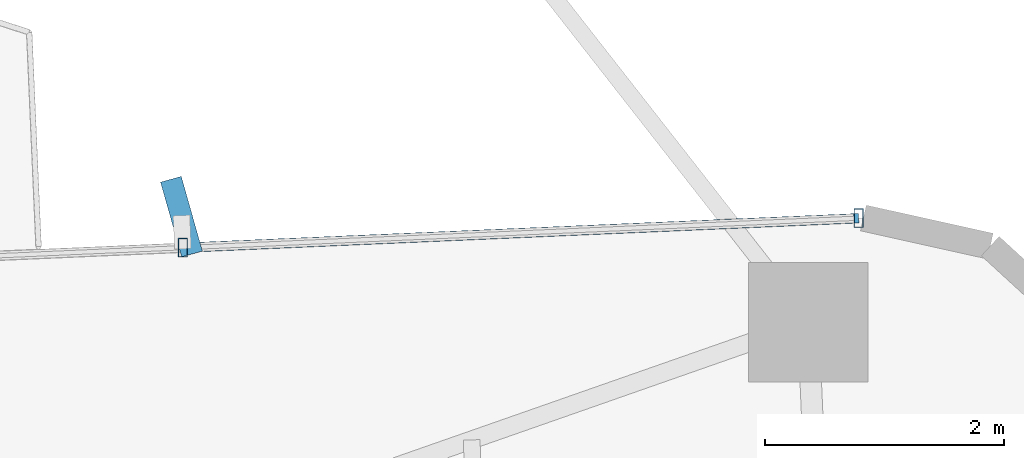
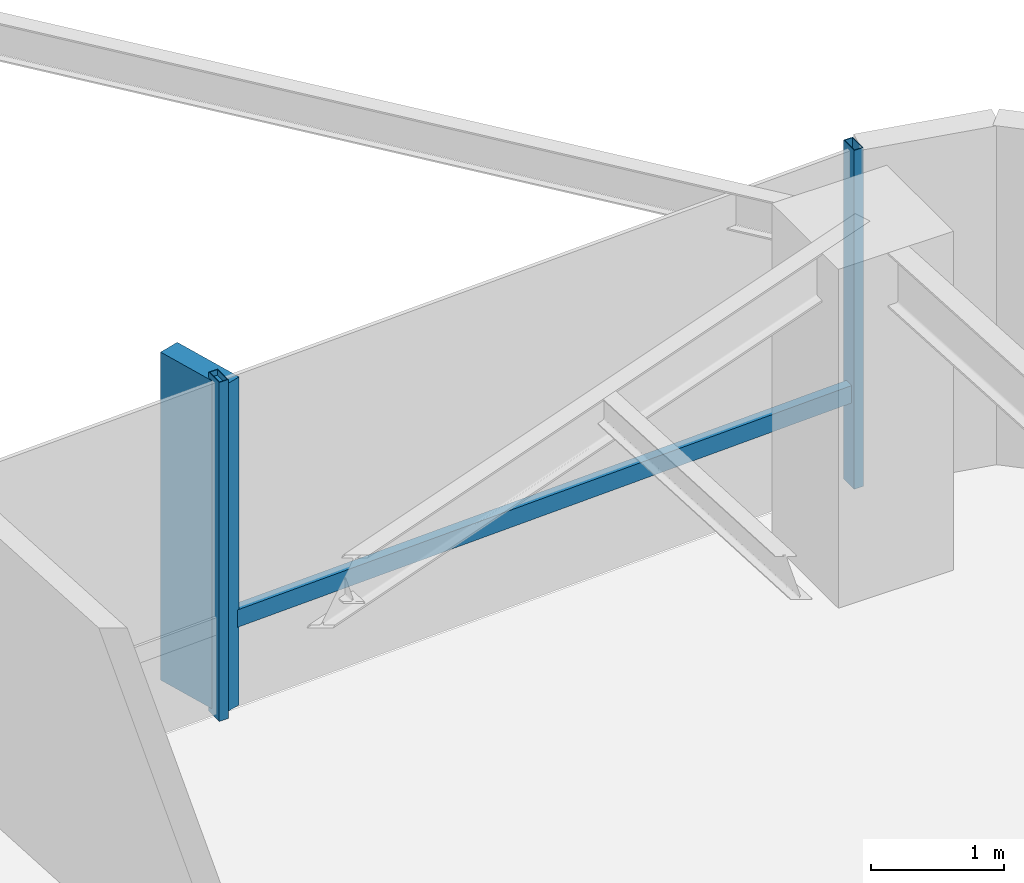
# One storey, part 20 of 26: 4 members, 1 element without a shape of its own.
"""IFC4 building model written with IfcOpenShell, lengths in metres."""

from ifc_helpers import new_model, si_unit, direction, frame, origin, origin_2d, place, context, subcontext, project, spatial, rectangle, hollow_rectangle, extrude, source, transform, mapped, material, material_profile, profile_set, type_object, element, aggregate, save


model = new_model("IFC4")

# Units and contexts
model_context = context("Model", 3, precision=1e-05, world=origin(), true_north=direction((0.0, 1.0)))
body_context = subcontext(model_context, "Body", "Model", "MODEL_VIEW")
ifc_project = project(units=[si_unit("LENGTHUNIT", "METRE"), si_unit("AREAUNIT", "SQUARE_METRE"), si_unit("VOLUMEUNIT", "CUBIC_METRE"), si_unit("PLANEANGLEUNIT", "RADIAN"), si_unit("MASSUNIT", "GRAM", prefix="KILO")], contexts=[model_context])

# Site, building, storey
site_placement = place(None, origin())
site = spatial("IfcSite", under=ifc_project, at=site_placement, CompositionType="ELEMENT")
building_placement = place(site_placement, origin())
building = spatial("IfcBuilding", under=site, at=building_placement, Name="Sahyath Konkavel Grand Hotel", CompositionType="ELEMENT")
storey_placement = place(building_placement, frame((0.0, 0.0, 86.85009765625)))
storey = spatial("IfcBuildingStorey", under=building, at=storey_placement, Name="L23", CompositionType="ELEMENT", Elevation=86.85009765625)

# Curtain wall, members
ifc_material_1 = material(Name="Anodised Bronze Aluminium & Low-E Glazing", Category="aluminium")
curtain_wall_type = type_object("IfcCurtainWallType", Name="CW-ZONE2", PredefinedType="NOTDEFINED", material=ifc_material_1)
curtain_wall_placement = place(storey_placement, origin())
curtain_wall = element("IfcCurtainWall", 1, at=curtain_wall_placement, inside=storey, type_object=curtain_wall_type, Name="L23 Unitised Curtain Wall F7", PredefinedType="NOTDEFINED")
ifc_material_2 = material(Name="Anodised Bronze Aluminium", Category="aluminium")
ifc_material_profile_1 = material_profile(ifc_material_2, hollow_rectangle(XDim=0.080078125, YDim=0.159912109375, WallThickness=0.006103515625, at=origin_2d()), Name="RHS 160x80x6")
ifc_profile_set_1 = profile_set([ifc_material_profile_1], Name="Anodised Bronze Aluminium")
member_type_1 = type_object("IfcMemberType", Name="CW-MUL-160", PredefinedType="MULLION", material=ifc_profile_set_1)
shared_shape_1 = source(origin(), body_context, "Body", "SweptSolid", [
    extrude(hollow_rectangle(XDim=0.080078125, YDim=0.159912109375, WallThickness=0.006103515625, at=origin_2d()), origin(), (0.0, 0.0, 1.0), 3.10986328125),
])
member_1_placement = place(storey_placement, frame((17.655029296875, 7.377197265625, 0.0), z_axis=(0.0, 0.0, 1.0), x_axis=(1.0, 0.0, 0.0)))
member_1 = element("IfcMember", 2, at=member_1_placement, type_object=member_type_1, Name="L23 Curtain Wall Mullion F7-0", PredefinedType="MULLION", context=body_context, shape_type="MappedRepresentation", body=[
    mapped(shared_shape_1, transform((0.0, 0.0, 0.0), scale=1.0)),
])
member_2_placement = place(storey_placement, frame((12.00048828125, 7.13037109375, 0.0), z_axis=(0.0, 0.0, 1.0), x_axis=(1.0, 0.0, 0.0)))
member_2 = element("IfcMember", 3, at=member_2_placement, type_object=member_type_1, Name="L23 Curtain Wall Mullion F7-1", PredefinedType="MULLION", context=body_context, shape_type="MappedRepresentation", body=[
    mapped(shared_shape_1, transform((0.0, 0.0, 0.0), scale=1.0)),
])
ifc_material_3 = material(Name="Warm Buff Sandstone Cladding on Concrete C50/60", Category="masonry")
ifc_material_profile_2 = material_profile(ifc_material_3, rectangle(XDim=0.179931640625, YDim=0.64990234375, at=origin_2d()), Name="FIN 180x650")
ifc_profile_set_2 = profile_set([ifc_material_profile_2], Name="Warm Buff Sandstone Cladding on Concrete C50/60")
member_type_2 = type_object("IfcMemberType", Name="FIN-SANDSTONE-650", PredefinedType="MULLION", material=ifc_profile_set_2)
shared_shape_2 = source(origin(), body_context, "Body", "SweptSolid", [
    extrude(rectangle(XDim=0.179931640625, YDim=0.64990234375, at=origin_2d()), origin(), (0.0, 0.0, 1.0), 3.010009765625),
])
member_3_placement = place(storey_placement, frame((11.989013671875, 7.39013671875, 0.0498046875), z_axis=(0.0, 0.0, 1.0), x_axis=(0.962360427228, 0.271776393577, 0.0)))
member_3 = element("IfcMember", 4, at=member_3_placement, type_object=member_type_2, Name="L23 Sandstone Vertical Solar Fin FIN F7-1", PredefinedType="MULLION", context=body_context, shape_type="MappedRepresentation", body=[
    mapped(shared_shape_2, transform((0.0, 0.0, 0.0), scale=1.0)),
])
ifc_material_profile_3 = material_profile(ifc_material_2, hollow_rectangle(XDim=0.080078125, YDim=0.159912109375, WallThickness=0.006103515625, at=origin_2d()), Name="RHS 160x80x6")
ifc_profile_set_3 = profile_set([ifc_material_profile_3], Name="Anodised Bronze Aluminium")
member_type_3 = type_object("IfcMemberType", Name="CW-TRN-160", PredefinedType="USERDEFINED", material=ifc_profile_set_3)
shared_shape_3 = source(origin(), body_context, "Body", "SweptSolid", [
    extrude(hollow_rectangle(XDim=0.080078125, YDim=0.159912109375, WallThickness=0.006103515625, at=origin_2d()), origin(), (0.0, 0.0, 1.0), 5.659912109375),
])
member_4_placement = place(storey_placement, frame((17.655029296875, 7.377197265625, 0.849853515625), z_axis=(-0.999048655935, -0.043609437898, 0.0), x_axis=(0.043609437898, -0.999048655935, 0.0)))
member_4 = element("IfcMember", 5, at=member_4_placement, type_object=member_type_3, Name="L23 Curtain Wall Transom F7-0-spandrel", ObjectType="TRANSOM", PredefinedType="USERDEFINED", context=body_context, shape_type="MappedRepresentation", body=[
    mapped(shared_shape_3, transform((0.0, 0.0, 0.0), scale=1.0)),
])
aggregate(curtain_wall, [member_1, member_2, member_3, member_4])

save(model, "model.ifc")
